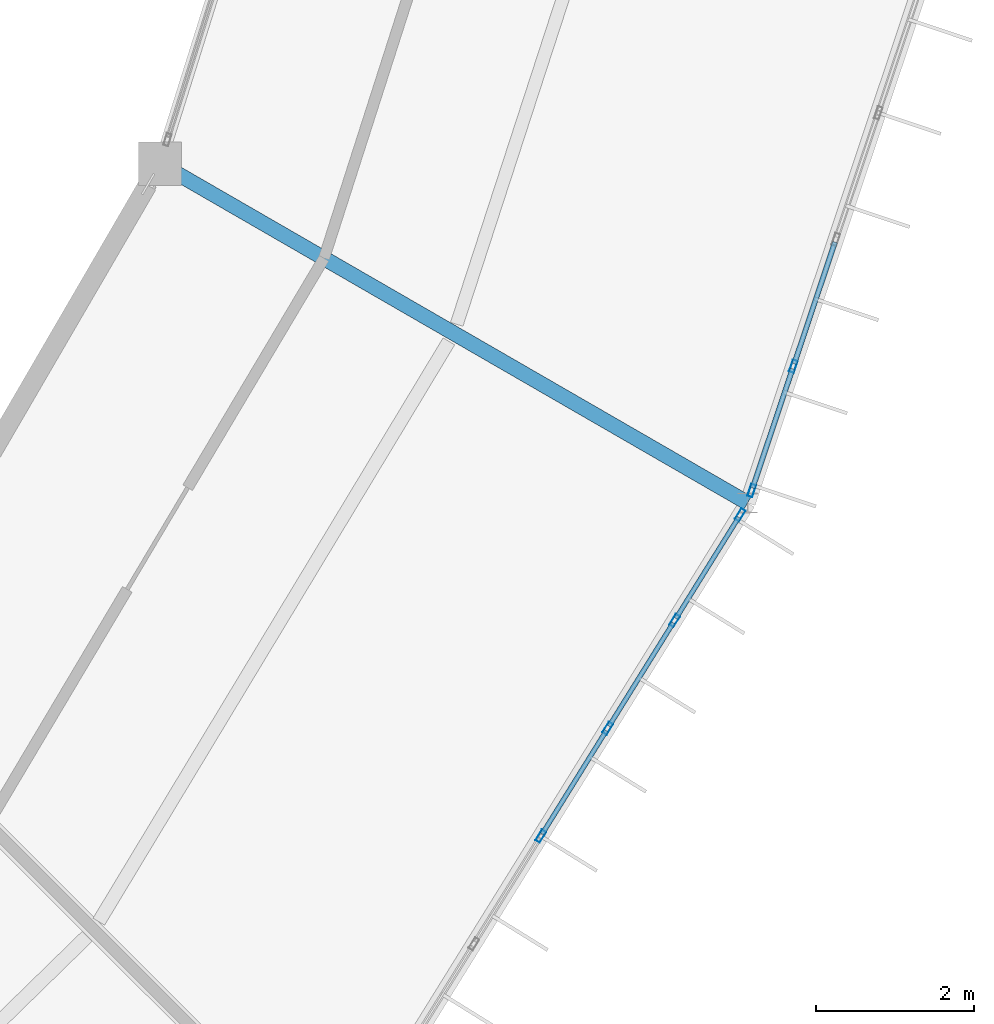
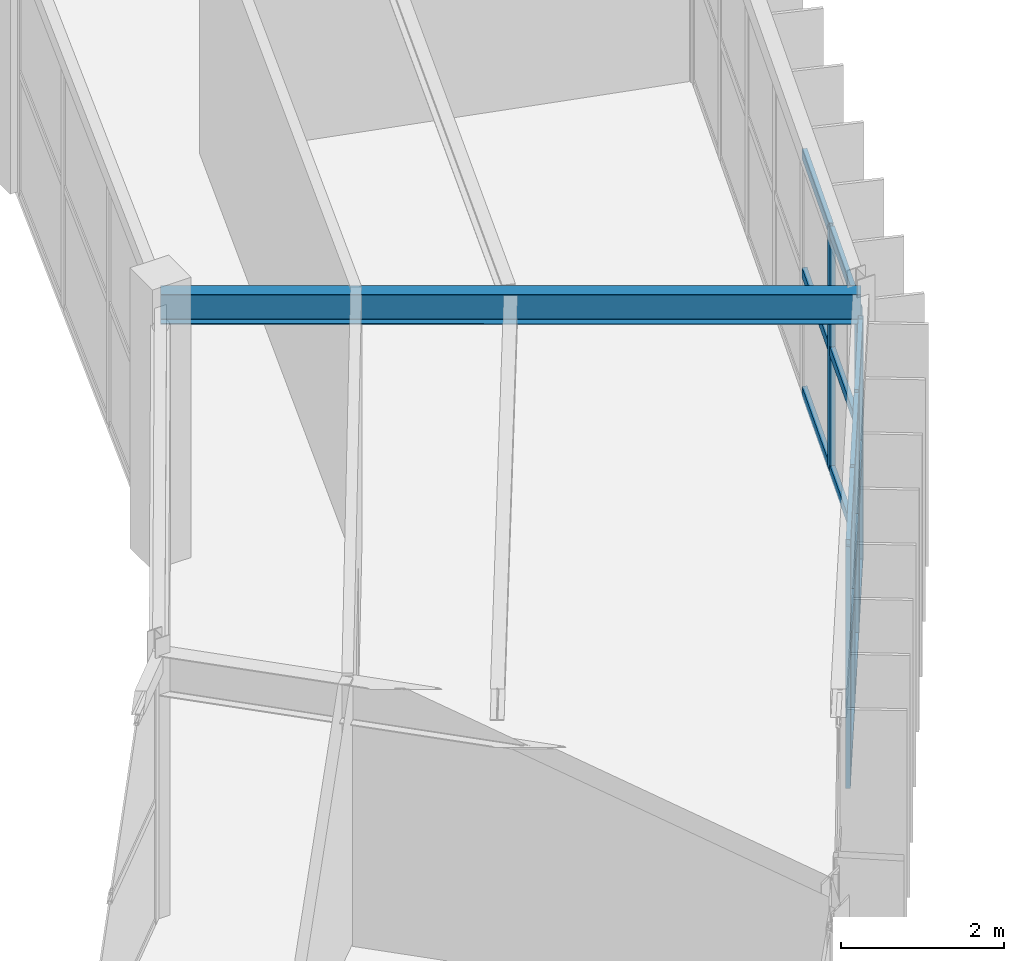
# One storey, part 52 of 134: 21 members, 1 beam, 2 elements without a shape of their own.
"""IFC4 building model written with IfcOpenShell, lengths in metres."""

from ifc_helpers import new_model, si_unit, direction, frame, origin, origin_2d, place, context, subcontext, project, spatial, hollow_rectangle, i_section, extrude, material, material_profile, profile_set, type_object, element, aggregate, save


model = new_model("IFC4")

# Units and contexts
model_context = context("Model", 3, precision=1e-05, world=origin(), true_north=direction((0.0, 1.0)))
body_context = subcontext(model_context, "Body", "Model", "MODEL_VIEW")
ifc_project = project(units=[si_unit("LENGTHUNIT", "METRE"), si_unit("AREAUNIT", "SQUARE_METRE"), si_unit("VOLUMEUNIT", "CUBIC_METRE"), si_unit("PLANEANGLEUNIT", "RADIAN"), si_unit("MASSUNIT", "GRAM", prefix="KILO")], contexts=[model_context])

# Site, building, storey
site_placement = place(None, origin())
site = spatial("IfcSite", under=ifc_project, at=site_placement, CompositionType="ELEMENT")
building_placement = place(site_placement, origin())
building = spatial("IfcBuilding", under=site, at=building_placement, Name="Karori Crest Natural Sciences Institute", CompositionType="ELEMENT")
storey_placement = place(building_placement, frame((0.0, 0.0, 21.699951171875)))
storey = spatial("IfcBuildingStorey", under=building, at=storey_placement, Name="L05", CompositionType="ELEMENT", Elevation=21.699951171875)

# Beam
ifc_material_1 = material(Name="Structural steel AS/NZS 3679.1 Grade 350", Category="steel")
ifc_material_profile_1 = material_profile(ifc_material_1, i_section(OverallWidth=0.18994140625, OverallDepth=0.4541015625, WebThickness=0.008544921875, FlangeThickness=0.0126953125, FilletRadius=0.010986328125, at=origin_2d()), Name="460UB67.1")
ifc_profile_set_1 = profile_set([ifc_material_profile_1], Name="Structural steel AS/NZS 3679.1 Grade 350")
beam_type = type_object("IfcBeamType", Name="BT-28", PredefinedType="BEAM", material=ifc_profile_set_1)
beam_placement = place(storey_placement, frame((87.531005859375, 33.800048828125, 3.713134765625), z_axis=(0.866021068297, -0.500007509209, 0.0), x_axis=(0.500007509209, 0.866021068297, 0.0)))
element("IfcBeam", 1, at=beam_placement, inside=storey, type_object=beam_type, Name="Beam B-0614", PredefinedType="BEAM", context=body_context, shape_type="SweptSolid", body=[
    extrude(i_section(OverallWidth=0.18994140625, OverallDepth=0.4541015625, WebThickness=0.008544921875, FlangeThickness=0.0126953125, FilletRadius=0.010986328125, at=origin_2d()), origin(), (0.0, 0.0, 1.0), 8.599853515625),
])

# Curtain wall, members
ifc_material_2 = material(Name="Anodised architectural aluminium 6063-T6", Category="aluminium")
curtain_wall_type_1 = type_object("IfcCurtainWallType", Name="CWT-02", PredefinedType="NOTDEFINED", material=ifc_material_2)
curtain_wall_1_placement = place(storey_placement, origin())
curtain_wall_1 = element("IfcCurtainWall", 2, at=curtain_wall_1_placement, inside=storey, type_object=curtain_wall_type_1, Name="Curtain wall CW-0204", PredefinedType="NOTDEFINED")
ifc_material_profile_2 = material_profile(ifc_material_2, hollow_rectangle(XDim=0.06494140625, YDim=0.159912109375, WallThickness=0.00390625, at=origin_2d()), Name="CWM160x65x4")
ifc_profile_set_2 = profile_set([ifc_material_profile_2], Name="Anodised architectural aluminium 6063-T6")
member_type_1 = type_object("IfcMemberType", Name="CWM-01", PredefinedType="MULLION", material=ifc_profile_set_2)
member_1_placement = place(storey_placement, frame((94.8837890625, 29.34716796875, 0.0), z_axis=(0.0, 0.0, 1.0), x_axis=(0.849664350398, -0.527323896352, 0.0)))
member_1 = element("IfcMember", 3, at=member_1_placement, type_object=member_type_1, Name="CW-0204 mullion 1", PredefinedType="MULLION", context=body_context, shape_type="SweptSolid", body=[
    extrude(hollow_rectangle(XDim=0.06494140625, YDim=0.159912109375, WallThickness=0.00390625, at=origin_2d()), origin(), (0.0, 0.0, 1.0), 3.625),
])
member_2_placement = place(storey_placement, frame((94.05322265625, 28.008544921875, 0.0), z_axis=(0.0, 0.0, 1.0), x_axis=(0.849664350398, -0.527323896352, 0.0)))
member_2 = element("IfcMember", 4, at=member_2_placement, type_object=member_type_1, Name="CW-0204 mullion 2", PredefinedType="MULLION", context=body_context, shape_type="SweptSolid", body=[
    extrude(hollow_rectangle(XDim=0.06494140625, YDim=0.159912109375, WallThickness=0.00390625, at=origin_2d()), origin(), (0.0, 0.0, 1.0), 3.625),
])
member_3_placement = place(storey_placement, frame((93.205322265625, 26.642578125, 0.0), z_axis=(0.0, 0.0, 1.0), x_axis=(0.849664350398, -0.527323896352, 0.0)))
member_3 = element("IfcMember", 5, at=member_3_placement, type_object=member_type_1, Name="CW-0204 mullion 3", PredefinedType="MULLION", context=body_context, shape_type="SweptSolid", body=[
    extrude(hollow_rectangle(XDim=0.06494140625, YDim=0.159912109375, WallThickness=0.00390625, at=origin_2d()), origin(), (0.0, 0.0, 1.0), 3.625),
])
member_4_placement = place(storey_placement, frame((92.357666015625, 25.276611328125, 0.0), z_axis=(0.0, 0.0, 1.0), x_axis=(0.849664350398, -0.527323896352, 0.0)))
member_4 = element("IfcMember", 6, at=member_4_placement, type_object=member_type_1, Name="CW-0204 mullion 4", PredefinedType="MULLION", context=body_context, shape_type="SweptSolid", body=[
    extrude(hollow_rectangle(XDim=0.06494140625, YDim=0.159912109375, WallThickness=0.00390625, at=origin_2d()), origin(), (0.0, 0.0, 1.0), 3.625),
])

curtain_wall_type_2 = type_object("IfcCurtainWallType", Name="CWT-03", PredefinedType="NOTDEFINED", material=ifc_material_2)
curtain_wall_2_placement = place(storey_placement, origin())
curtain_wall_2 = element("IfcCurtainWall", 7, at=curtain_wall_2_placement, inside=storey, type_object=curtain_wall_type_2, Name="Curtain wall CW-0205", PredefinedType="NOTDEFINED")
member_5_placement = place(storey_placement, frame((95.558837890625, 31.231201171875, 0.0), z_axis=(0.0, 0.0, 1.0), x_axis=(0.94819805026, -0.317679803392, 0.0)))
member_5 = element("IfcMember", 8, at=member_5_placement, type_object=member_type_1, Name="CW-0205 mullion 6", PredefinedType="MULLION", context=body_context, shape_type="SweptSolid", body=[
    extrude(hollow_rectangle(XDim=0.06494140625, YDim=0.159912109375, WallThickness=0.00390625, at=origin_2d()), origin(), (0.0, 0.0, 1.0), 3.625),
])
member_6_placement = place(storey_placement, frame((95.031005859375, 29.656005859375, 0.0), z_axis=(0.0, 0.0, 1.0), x_axis=(0.94819805026, -0.317679803392, 0.0)))
member_6 = element("IfcMember", 9, at=member_6_placement, type_object=member_type_1, Name="CW-0205 mullion 7", PredefinedType="MULLION", context=body_context, shape_type="SweptSolid", body=[
    extrude(hollow_rectangle(XDim=0.06494140625, YDim=0.159912109375, WallThickness=0.00390625, at=origin_2d()), origin(), (0.0, 0.0, 1.0), 3.625),
])

# Member
ifc_material_profile_3 = material_profile(ifc_material_2, hollow_rectangle(XDim=0.06005859375, YDim=0.1201171875, WallThickness=0.00390625, at=origin_2d()), Name="CWT120x60x4")
ifc_profile_set_3 = profile_set([ifc_material_profile_3], Name="Anodised architectural aluminium 6063-T6")
member_type_2 = type_object("IfcMemberType", Name="CWT-TR1", PredefinedType="USERDEFINED", material=ifc_profile_set_3)
member_7_placement = place(storey_placement, frame((94.86669921875, 29.319580078125, 0.030029296875), z_axis=(-0.527250198919, -0.849710084523, 0.0), x_axis=(0.849710084523, -0.527250198919, 0.0)))
member_7 = element("IfcMember", 10, at=member_7_placement, type_object=member_type_2, Name="CW-0204 transom 1.1", ObjectType="TRANSOM", PredefinedType="USERDEFINED", context=body_context, shape_type="SweptSolid", body=[
    extrude(hollow_rectangle(XDim=0.06005859375, YDim=0.1201171875, WallThickness=0.00390625, at=origin_2d()), origin(), (0.0, 0.0, 1.0), 1.510498046875),
])

member_8_placement = place(storey_placement, frame((94.86669921875, 29.319580078125, 1.8125), z_axis=(-0.527250198919, -0.849710084523, 0.0), x_axis=(0.849710084523, -0.527250198919, 0.0)))
member_8 = element("IfcMember", 11, at=member_8_placement, type_object=member_type_2, Name="CW-0204 transom 1.2", ObjectType="TRANSOM", PredefinedType="USERDEFINED", context=body_context, shape_type="SweptSolid", body=[
    extrude(hollow_rectangle(XDim=0.06005859375, YDim=0.1201171875, WallThickness=0.00390625, at=origin_2d()), origin(), (0.0, 0.0, 1.0), 1.510498046875),
])

member_9_placement = place(storey_placement, frame((94.86669921875, 29.319580078125, 3.594970703125), z_axis=(-0.527250198919, -0.849710084523, 0.0), x_axis=(0.849710084523, -0.527250198919, 0.0)))
member_9 = element("IfcMember", 12, at=member_9_placement, type_object=member_type_2, Name="CW-0204 transom 1.3", ObjectType="TRANSOM", PredefinedType="USERDEFINED", context=body_context, shape_type="SweptSolid", body=[
    extrude(hollow_rectangle(XDim=0.06005859375, YDim=0.1201171875, WallThickness=0.00390625, at=origin_2d()), origin(), (0.0, 0.0, 1.0), 1.510498046875),
])

member_10_placement = place(storey_placement, frame((94.0361328125, 27.98095703125, 0.030029296875), z_axis=(-0.527421946724, -0.849603489937, 0.0), x_axis=(0.849603489937, -0.527421946724, 0.0)))
member_10 = element("IfcMember", 13, at=member_10_placement, type_object=member_type_2, Name="CW-0204 transom 2.1", ObjectType="TRANSOM", PredefinedType="USERDEFINED", context=body_context, shape_type="SweptSolid", body=[
    extrude(hollow_rectangle(XDim=0.06005859375, YDim=0.1201171875, WallThickness=0.00390625, at=origin_2d()), origin(), (0.0, 0.0, 1.0), 1.542724609375),
])

member_11_placement = place(storey_placement, frame((94.0361328125, 27.98095703125, 1.8125), z_axis=(-0.527421946724, -0.849603489937, 0.0), x_axis=(0.849603489937, -0.527421946724, 0.0)))
member_11 = element("IfcMember", 14, at=member_11_placement, type_object=member_type_2, Name="CW-0204 transom 2.2", ObjectType="TRANSOM", PredefinedType="USERDEFINED", context=body_context, shape_type="SweptSolid", body=[
    extrude(hollow_rectangle(XDim=0.06005859375, YDim=0.1201171875, WallThickness=0.00390625, at=origin_2d()), origin(), (0.0, 0.0, 1.0), 1.542724609375),
])

member_12_placement = place(storey_placement, frame((94.0361328125, 27.98095703125, 3.594970703125), z_axis=(-0.527421946724, -0.849603489937, 0.0), x_axis=(0.849603489937, -0.527421946724, 0.0)))
member_12 = element("IfcMember", 15, at=member_12_placement, type_object=member_type_2, Name="CW-0204 transom 2.3", ObjectType="TRANSOM", PredefinedType="USERDEFINED", context=body_context, shape_type="SweptSolid", body=[
    extrude(hollow_rectangle(XDim=0.06005859375, YDim=0.1201171875, WallThickness=0.00390625, at=origin_2d()), origin(), (0.0, 0.0, 1.0), 1.542724609375),
])

member_13_placement = place(storey_placement, frame((93.188232421875, 26.614990234375, 0.030029296875), z_axis=(-0.527307708925, -0.849674396524, 0.0), x_axis=(0.849674396524, -0.527307708925, 0.0)))
member_13 = element("IfcMember", 16, at=member_13_placement, type_object=member_type_2, Name="CW-0204 transom 3.1", ObjectType="TRANSOM", PredefinedType="USERDEFINED", context=body_context, shape_type="SweptSolid", body=[
    extrude(hollow_rectangle(XDim=0.06005859375, YDim=0.1201171875, WallThickness=0.00390625, at=origin_2d()), origin(), (0.0, 0.0, 1.0), 1.542724609375),
])

member_14_placement = place(storey_placement, frame((93.188232421875, 26.614990234375, 1.8125), z_axis=(-0.527307708925, -0.849674396524, 0.0), x_axis=(0.849674396524, -0.527307708925, 0.0)))
member_14 = element("IfcMember", 17, at=member_14_placement, type_object=member_type_2, Name="CW-0204 transom 3.2", ObjectType="TRANSOM", PredefinedType="USERDEFINED", context=body_context, shape_type="SweptSolid", body=[
    extrude(hollow_rectangle(XDim=0.06005859375, YDim=0.1201171875, WallThickness=0.00390625, at=origin_2d()), origin(), (0.0, 0.0, 1.0), 1.542724609375),
])

member_15_placement = place(storey_placement, frame((93.188232421875, 26.614990234375, 3.594970703125), z_axis=(-0.527307708925, -0.849674396524, 0.0), x_axis=(0.849674396524, -0.527307708925, 0.0)))
member_15 = element("IfcMember", 18, at=member_15_placement, type_object=member_type_2, Name="CW-0204 transom 3.3", ObjectType="TRANSOM", PredefinedType="USERDEFINED", context=body_context, shape_type="SweptSolid", body=[
    extrude(hollow_rectangle(XDim=0.06005859375, YDim=0.1201171875, WallThickness=0.00390625, at=origin_2d()), origin(), (0.0, 0.0, 1.0), 1.542724609375),
])

aggregate(curtain_wall_1, [member_1, member_2, member_3, member_4, member_7, member_8, member_9, member_10, member_11, member_12, member_13, member_14, member_15])

ifc_material_profile_4 = material_profile(ifc_material_2, hollow_rectangle(XDim=0.06494140625, YDim=0.14990234375, WallThickness=0.00390625, at=origin_2d()), Name="CWT150x65x4")
ifc_profile_set_4 = profile_set([ifc_material_profile_4], Name="Anodised architectural aluminium 6063-T6")
member_type_3 = type_object("IfcMemberType", Name="CWT-TR2", PredefinedType="USERDEFINED", material=ifc_profile_set_4)
member_16_placement = place(storey_placement, frame((96.08642578125, 32.806396484375, 0.032470703125), z_axis=(-0.317621421426, -0.948217608279, 0.0), x_axis=(0.948217608279, -0.317621421426, 0.0)))
member_16 = element("IfcMember", 19, at=member_16_placement, type_object=member_type_3, Name="CW-0205 transom 5.1", ObjectType="TRANSOM", PredefinedType="USERDEFINED", context=body_context, shape_type="SweptSolid", body=[
    extrude(hollow_rectangle(XDim=0.06494140625, YDim=0.14990234375, WallThickness=0.00390625, at=origin_2d()), origin(), (0.0, 0.0, 1.0), 1.628662109375),
])

member_17_placement = place(storey_placement, frame((96.08642578125, 32.806396484375, 1.8125), z_axis=(-0.317621421426, -0.948217608279, 0.0), x_axis=(0.948217608279, -0.317621421426, 0.0)))
member_17 = element("IfcMember", 20, at=member_17_placement, type_object=member_type_3, Name="CW-0205 transom 5.2", ObjectType="TRANSOM", PredefinedType="USERDEFINED", context=body_context, shape_type="SweptSolid", body=[
    extrude(hollow_rectangle(XDim=0.06494140625, YDim=0.14990234375, WallThickness=0.00390625, at=origin_2d()), origin(), (0.0, 0.0, 1.0), 1.628662109375),
])

member_18_placement = place(storey_placement, frame((96.08642578125, 32.806396484375, 3.592529296875), z_axis=(-0.317621421426, -0.948217608279, 0.0), x_axis=(0.948217608279, -0.317621421426, 0.0)))
member_18 = element("IfcMember", 21, at=member_18_placement, type_object=member_type_3, Name="CW-0205 transom 5.3", ObjectType="TRANSOM", PredefinedType="USERDEFINED", context=body_context, shape_type="SweptSolid", body=[
    extrude(hollow_rectangle(XDim=0.06494140625, YDim=0.14990234375, WallThickness=0.00390625, at=origin_2d()), origin(), (0.0, 0.0, 1.0), 1.628662109375),
])

member_19_placement = place(storey_placement, frame((95.54833984375, 31.2001953125, 0.032470703125), z_axis=(-0.317695793379, -0.9481926929, 0.0), x_axis=(0.9481926929, -0.317695793379, 0.0)))
member_19 = element("IfcMember", 22, at=member_19_placement, type_object=member_type_3, Name="CW-0205 transom 6.1", ObjectType="TRANSOM", PredefinedType="USERDEFINED", context=body_context, shape_type="SweptSolid", body=[
    extrude(hollow_rectangle(XDim=0.06494140625, YDim=0.14990234375, WallThickness=0.00390625, at=origin_2d()), origin(), (0.0, 0.0, 1.0), 1.59619140625),
])

member_20_placement = place(storey_placement, frame((95.54833984375, 31.2001953125, 1.8125), z_axis=(-0.317695793379, -0.9481926929, 0.0), x_axis=(0.9481926929, -0.317695793379, 0.0)))
member_20 = element("IfcMember", 23, at=member_20_placement, type_object=member_type_3, Name="CW-0205 transom 6.2", ObjectType="TRANSOM", PredefinedType="USERDEFINED", context=body_context, shape_type="SweptSolid", body=[
    extrude(hollow_rectangle(XDim=0.06494140625, YDim=0.14990234375, WallThickness=0.00390625, at=origin_2d()), origin(), (0.0, 0.0, 1.0), 1.59619140625),
])

member_21_placement = place(storey_placement, frame((95.54833984375, 31.2001953125, 3.592529296875), z_axis=(-0.317695793379, -0.9481926929, 0.0), x_axis=(0.9481926929, -0.317695793379, 0.0)))
member_21 = element("IfcMember", 24, at=member_21_placement, type_object=member_type_3, Name="CW-0205 transom 6.3", ObjectType="TRANSOM", PredefinedType="USERDEFINED", context=body_context, shape_type="SweptSolid", body=[
    extrude(hollow_rectangle(XDim=0.06494140625, YDim=0.14990234375, WallThickness=0.00390625, at=origin_2d()), origin(), (0.0, 0.0, 1.0), 1.59619140625),
])

aggregate(curtain_wall_2, [member_5, member_6, member_16, member_17, member_18, member_19, member_20, member_21])

save(model, "model.ifc")
